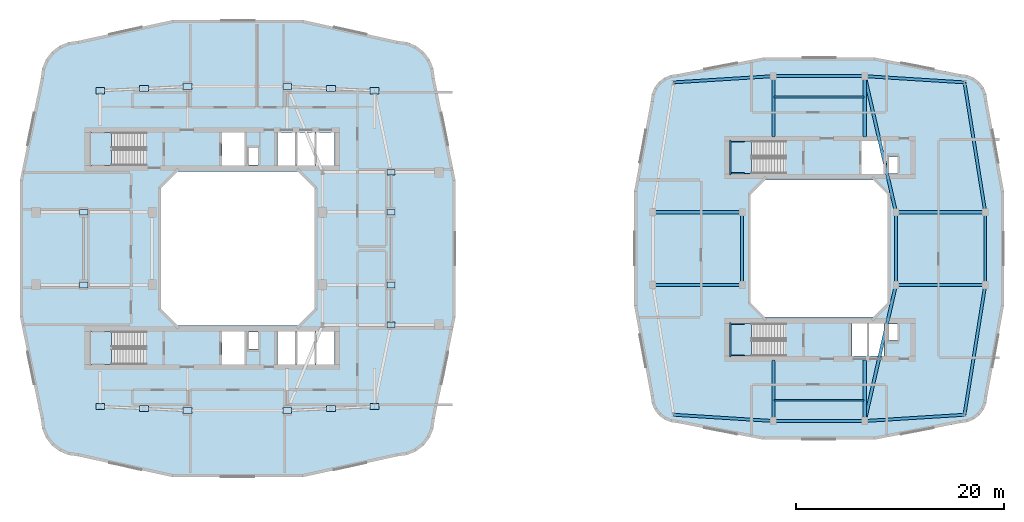
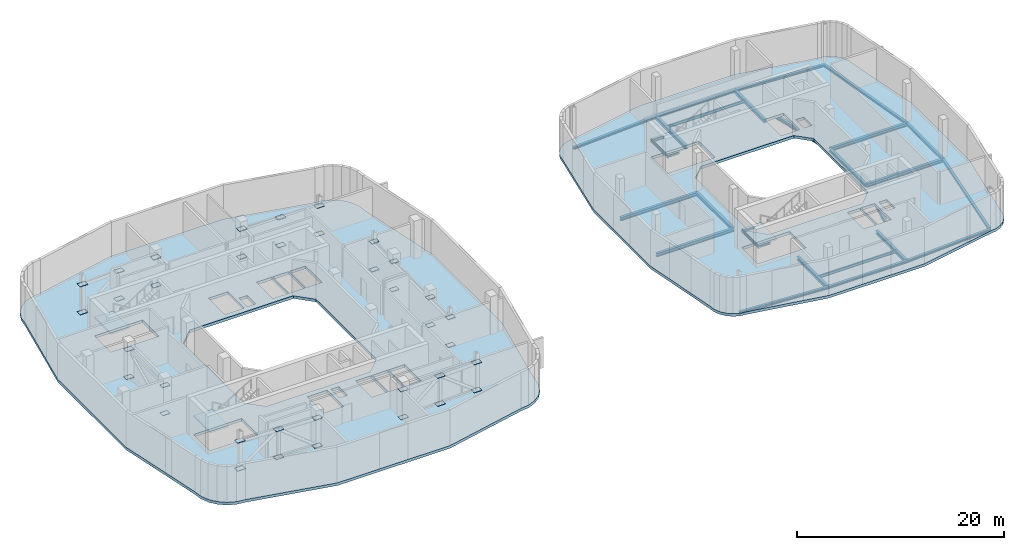
# One storey, part 6 of 18: 36 plates, 29 beams, 6 slabs, 4 elements without a shape of their own.
"""IFC4 building model written with IfcOpenShell, lengths in metres."""

from ifc_helpers import new_model, si_unit, derived_unit, direction, frame, origin, origin_2d, place, context, subcontext, project, spatial, polyline, rectangle, i_section, outline, extrude, material, layer, layer_set, material_profile, profile_set, type_object, element, aggregate, save


model = new_model("IFC4")

# Units and contexts
model_context = context("Model", 3, precision=1e-05, world=origin(), true_north=direction((0.0, 1.0)))
body_context = subcontext(model_context, "Body", "Model", "MODEL_VIEW")
ifc_project = project(units=[si_unit("LENGTHUNIT", "METRE"), si_unit("AREAUNIT", "SQUARE_METRE"), si_unit("VOLUMEUNIT", "CUBIC_METRE"), si_unit("PLANEANGLEUNIT", "RADIAN"), si_unit("MASSUNIT", "GRAM", prefix="KILO"), derived_unit("THERMALTRANSMITTANCEUNIT", [(si_unit("POWERUNIT", "WATT"), 1), (si_unit("LENGTHUNIT", "METRE"), -2), (si_unit("THERMODYNAMICTEMPERATUREUNIT", "KELVIN"), -1)])], contexts=[model_context])

# Site, building, storey
site_placement = place(None, origin())
site = spatial("IfcSite", under=ifc_project, at=site_placement, CompositionType="ELEMENT")
building_placement = place(site_placement, origin())
building = spatial("IfcBuilding", under=site, at=building_placement, Name="Kivonza Crest Hotel", CompositionType="ELEMENT")
storey_placement = place(building_placement, frame((0.0, 0.0, 90.5)))
storey = spatial("IfcBuildingStorey", under=building, at=storey_placement, Name="L24", CompositionType="ELEMENT", Elevation=90.5)

# Beams
ifc_material_1 = material(Name="Steel S355", Category="steel")
ifc_material_profile_1 = material_profile(ifc_material_1, i_section(OverallWidth=0.280029296875, OverallDepth=0.280029296875, WebThickness=0.010498046875, FlangeThickness=0.01806640625, FilletRadius=0.02392578125, at=origin_2d()), Name="HEB 280")
ifc_profile_set_1 = profile_set([ifc_material_profile_1], Name="Steel S355")
beam_type_1 = type_object("IfcBeamType", Name="BM-HEB280", PredefinedType="SPANDREL", material=ifc_profile_set_1)
beam_1_placement = place(storey_placement, frame((72.60009765625, 8.39990234375, -0.4599609375), z_axis=(1.0, 0.0, 0.0), x_axis=(0.0, 1.0, 0.0)))
element("IfcBeam", 1, at=beam_1_placement, inside=storey, type_object=beam_type_1, Name="Companion Tower T2 L24 perimeter spandrel S1-S2", PredefinedType="SPANDREL", context=body_context, shape_type="SweptSolid", body=[
    extrude(i_section(OverallWidth=0.280029296875, OverallDepth=0.280029296875, WebThickness=0.010498046875, FlangeThickness=0.01806640625, FilletRadius=0.02392578125, at=origin_2d()), origin(), (0.0, 0.0, 1.0), 8.7998046875),
])
beam_2_placement = place(storey_placement, frame((81.39990234375, 8.39990234375, -0.4599609375), z_axis=(0.998051985873, 0.062387767186, 0.0), x_axis=(-0.062387767186, 0.998051985873, 0.0)))
element("IfcBeam", 2, at=beam_2_placement, inside=storey, type_object=beam_type_1, Name="Companion Tower T2 L24 perimeter spandrel S2-SE", PredefinedType="SPANDREL", context=body_context, shape_type="SweptSolid", body=[
    extrude(i_section(OverallWidth=0.280029296875, OverallDepth=0.280029296875, WebThickness=0.010498046875, FlangeThickness=0.01806640625, FilletRadius=0.02392578125, at=origin_2d()), origin(), (0.0, 0.0, 1.0), 9.618896484375),
])
beam_3_placement = place(storey_placement, frame((91.0, 9.0, -0.4599609375), z_axis=(0.157990501107, 0.987440631917, 0.0), x_axis=(-0.987440631917, 0.157990501107, 0.0)))
element("IfcBeam", 3, at=beam_3_placement, inside=storey, type_object=beam_type_1, Name="Companion Tower T2 L24 perimeter spandrel SE-E1", PredefinedType="SPANDREL", context=body_context, shape_type="SweptSolid", body=[
    extrude(i_section(OverallWidth=0.280029296875, OverallDepth=0.280029296875, WebThickness=0.010498046875, FlangeThickness=0.01806640625, FilletRadius=0.02392578125, at=origin_2d()), origin(), (0.0, 0.0, 1.0), 12.658935546875),
])
beam_4_placement = place(storey_placement, frame((93.0, 21.5, -0.4599609375), z_axis=(0.0, 1.0, 0.0), x_axis=(-1.0, 0.0, 0.0)))
element("IfcBeam", 4, at=beam_4_placement, inside=storey, type_object=beam_type_1, Name="Companion Tower T2 L24 perimeter spandrel E1-E2", PredefinedType="SPANDREL", context=body_context, shape_type="SweptSolid", body=[
    extrude(i_section(OverallWidth=0.280029296875, OverallDepth=0.280029296875, WebThickness=0.010498046875, FlangeThickness=0.01806640625, FilletRadius=0.02392578125, at=origin_2d()), origin(), (0.0, 0.0, 1.0), 7.0),
])
beam_5_placement = place(storey_placement, frame((93.0, 28.5, -0.4599609375), z_axis=(-0.157990501107, 0.987440631917, 0.0), x_axis=(-0.987440631917, -0.157990501107, 0.0)))
element("IfcBeam", 5, at=beam_5_placement, inside=storey, type_object=beam_type_1, Name="Companion Tower T2 L24 perimeter spandrel E2-NE", PredefinedType="SPANDREL", context=body_context, shape_type="SweptSolid", body=[
    extrude(i_section(OverallWidth=0.280029296875, OverallDepth=0.280029296875, WebThickness=0.010498046875, FlangeThickness=0.01806640625, FilletRadius=0.02392578125, at=origin_2d()), origin(), (0.0, 0.0, 1.0), 12.658935546875),
])
beam_6_placement = place(storey_placement, frame((91.0, 41.0, -0.4599609375), z_axis=(-0.998051985873, 0.062387767186, 0.0), x_axis=(-0.062387767186, -0.998051985873, 0.0)))
element("IfcBeam", 6, at=beam_6_placement, inside=storey, type_object=beam_type_1, Name="Companion Tower T2 L24 perimeter spandrel NE-N2", PredefinedType="SPANDREL", context=body_context, shape_type="SweptSolid", body=[
    extrude(i_section(OverallWidth=0.280029296875, OverallDepth=0.280029296875, WebThickness=0.010498046875, FlangeThickness=0.01806640625, FilletRadius=0.02392578125, at=origin_2d()), origin(), (0.0, 0.0, 1.0), 9.618896484375),
])
beam_7_placement = place(storey_placement, frame((81.39990234375, 41.60009765625, -0.4599609375), z_axis=(-1.0, 0.0, 0.0), x_axis=(0.0, -1.0, 0.0)))
element("IfcBeam", 7, at=beam_7_placement, inside=storey, type_object=beam_type_1, Name="Companion Tower T2 L24 perimeter spandrel N2-N1", PredefinedType="SPANDREL", context=body_context, shape_type="SweptSolid", body=[
    extrude(i_section(OverallWidth=0.280029296875, OverallDepth=0.280029296875, WebThickness=0.010498046875, FlangeThickness=0.01806640625, FilletRadius=0.02392578125, at=origin_2d()), origin(), (0.0, 0.0, 1.0), 8.7998046875),
])
for number, where, z_axis, x_axis, name in (
    (8, (72.60009765625, 41.60009765625, -0.4599609375), (-0.998051985873, -0.062387767186, 0.0), (0.062387767186, -0.998051985873, 0.0), "Companion Tower T2 L24 perimeter spandrel N1-NW"),
    (9, (63.0, 9.0, -0.4599609375), (0.998051985873, -0.062387767186, 0.0), (0.062387767186, 0.998051985873, 0.0), "Companion Tower T2 L24 perimeter spandrel SW-S1"),
):
    element("IfcBeam", number, at=place(storey_placement, frame(where, z_axis=z_axis, x_axis=x_axis)), inside=storey, type_object=beam_type_1, Name=name, PredefinedType="SPANDREL", context=body_context, shape_type="SweptSolid", body=[
        extrude(i_section(OverallWidth=0.280029296875, OverallDepth=0.280029296875, WebThickness=0.010498046875, FlangeThickness=0.01806640625, FilletRadius=0.02392578125, at=origin_2d()), origin(), (0.0, 0.0, 1.0), 9.618896484375),
    ])
ifc_material_profile_2 = material_profile(ifc_material_1, i_section(OverallWidth=0.300048828125, OverallDepth=0.39990234375, WebThickness=0.013427734375, FlangeThickness=0.02392578125, FilletRadius=0.027099609375, at=origin_2d()), Name="HEB 400")
ifc_profile_set_2 = profile_set([ifc_material_profile_2], Name="Steel S355")
beam_type_2 = type_object("IfcBeamType", Name="BM-HEB400", PredefinedType="BEAM", material=ifc_profile_set_2)
for number, where, z_axis, x_axis, name in (
    (10, (61.0, 21.5, -0.52001953125), (1.0, 0.0, 0.0), (0.0, 1.0, 0.0), "Companion Tower T2 L24 girder W1-WL1"),
    (11, (61.0, 28.5, -0.52001953125), (1.0, 0.0, 0.0), (0.0, 1.0, 0.0), "Companion Tower T2 L24 girder W2-WL2"),
):
    element("IfcBeam", number, at=place(storey_placement, frame(where, z_axis=z_axis, x_axis=x_axis)), inside=storey, type_object=beam_type_2, Name=name, PredefinedType="BEAM", context=body_context, shape_type="SweptSolid", body=[
        extrude(i_section(OverallWidth=0.300048828125, OverallDepth=0.39990234375, WebThickness=0.013427734375, FlangeThickness=0.02392578125, FilletRadius=0.027099609375, at=origin_2d()), origin(), (0.0, 0.0, 1.0), 8.60009765625),
    ])
beam_8_placement = place(storey_placement, frame((69.60009765625, 21.5, -0.52001953125), z_axis=(0.0, 1.0, 0.0), x_axis=(-1.0, 0.0, 0.0)))
element("IfcBeam", 12, at=beam_8_placement, inside=storey, type_object=beam_type_2, Name="Companion Tower T2 L24 girder WL1-WL2", PredefinedType="BEAM", context=body_context, shape_type="SweptSolid", body=[
    extrude(i_section(OverallWidth=0.300048828125, OverallDepth=0.39990234375, WebThickness=0.013427734375, FlangeThickness=0.02392578125, FilletRadius=0.027099609375, at=origin_2d()), origin(), (0.0, 0.0, 1.0), 7.0),
])
for number, where, z_axis, x_axis, name in (
    (13, (84.39990234375, 21.5, -0.52001953125), (1.0, 0.0, 0.0), (0.0, 1.0, 0.0), "Companion Tower T2 L24 girder WR1-E1"),
    (14, (84.39990234375, 28.5, -0.52001953125), (1.0, 0.0, 0.0), (0.0, 1.0, 0.0), "Companion Tower T2 L24 girder WR2-E2"),
):
    element("IfcBeam", number, at=place(storey_placement, frame(where, z_axis=z_axis, x_axis=x_axis)), inside=storey, type_object=beam_type_2, Name=name, PredefinedType="BEAM", context=body_context, shape_type="SweptSolid", body=[
        extrude(i_section(OverallWidth=0.300048828125, OverallDepth=0.39990234375, WebThickness=0.013427734375, FlangeThickness=0.02392578125, FilletRadius=0.027099609375, at=origin_2d()), origin(), (0.0, 0.0, 1.0), 8.60009765625),
    ])
beam_9_placement = place(storey_placement, frame((84.39990234375, 21.5, -0.52001953125), z_axis=(0.0, 1.0, 0.0), x_axis=(-1.0, 0.0, 0.0)))
element("IfcBeam", 15, at=beam_9_placement, inside=storey, type_object=beam_type_2, Name="Companion Tower T2 L24 girder WR1-WR2", PredefinedType="BEAM", context=body_context, shape_type="SweptSolid", body=[
    extrude(i_section(OverallWidth=0.300048828125, OverallDepth=0.39990234375, WebThickness=0.013427734375, FlangeThickness=0.02392578125, FilletRadius=0.027099609375, at=origin_2d()), origin(), (0.0, 0.0, 1.0), 7.0),
])
for number, where, z_axis, x_axis, name in (
    (16, (84.39990234375, 21.5, -0.52001953125), (-0.223227287589, -0.974766422317, 0.0), (0.974766422317, -0.223227287589, 0.0), "Companion Tower T2 L24 girder WR1-S2"),
    (17, (84.39990234375, 28.5, -0.52001953125), (-0.223227287589, 0.974766422317, 0.0), (-0.974766422317, -0.223227287589, 0.0), "Companion Tower T2 L24 girder WR2-N2"),
):
    element("IfcBeam", number, at=place(storey_placement, frame(where, z_axis=z_axis, x_axis=x_axis)), inside=storey, type_object=beam_type_2, Name=name, PredefinedType="BEAM", context=body_context, shape_type="SweptSolid", body=[
        extrude(i_section(OverallWidth=0.300048828125, OverallDepth=0.39990234375, WebThickness=0.013427734375, FlangeThickness=0.02392578125, FilletRadius=0.027099609375, at=origin_2d()), origin(), (0.0, 0.0, 1.0), 13.439208984375),
    ])
for number, where, z_axis, x_axis, name in (
    (18, (72.60009765625, 8.39990234375, -0.52001953125), (0.0, 1.0, 0.0), (-1.0, 0.0, 0.0), "Companion T2 L24 radial core girder RS1"),
    (19, (81.39990234375, 8.39990234375, -0.52001953125), (0.0, 1.0, 0.0), (-1.0, 0.0, 0.0), "Companion T2 L24 radial core girder RS2"),
    (20, (72.60009765625, 41.60009765625, -0.52001953125), (0.0, -1.0, 0.0), (1.0, 0.0, 0.0), "Companion T2 L24 radial core girder RN1"),
    (21, (81.39990234375, 41.60009765625, -0.52001953125), (0.0, -1.0, 0.0), (1.0, 0.0, 0.0), "Companion T2 L24 radial core girder RN2"),
):
    element("IfcBeam", number, at=place(storey_placement, frame(where, z_axis=z_axis, x_axis=x_axis)), inside=storey, type_object=beam_type_2, Name=name, PredefinedType="BEAM", context=body_context, shape_type="SweptSolid", body=[
        extrude(i_section(OverallWidth=0.300048828125, OverallDepth=0.39990234375, WebThickness=0.013427734375, FlangeThickness=0.02392578125, FilletRadius=0.027099609375, at=origin_2d()), origin(), (0.0, 0.0, 1.0), 5.85009765625),
    ])
ifc_material_profile_3 = material_profile(ifc_material_1, i_section(OverallWidth=0.159912109375, OverallDepth=0.330078125, WebThickness=0.007568359375, FlangeThickness=0.011474609375, FilletRadius=0.01806640625, at=origin_2d()), Name="IPE 330")
ifc_profile_set_3 = profile_set([ifc_material_profile_3], Name="Steel S355")
beam_type_3 = type_object("IfcBeamType", Name="BM-IPE330", PredefinedType="JOIST", material=ifc_profile_set_3)
for number, where, z_axis, x_axis, name in (
    (22, (72.679931640625, 10.39990234375, -0.485107421875), (1.0, 0.0, 0.0), (0.0, 1.0, 0.0), "Companion Tower T2 L24 South floor joist"),
    (23, (72.679931640625, 39.60009765625, -0.485107421875), (1.0, 0.0, 0.0), (0.0, 1.0, 0.0), "Companion Tower T2 L24 North floor joist"),
):
    element("IfcBeam", number, at=place(storey_placement, frame(where, z_axis=z_axis, x_axis=x_axis)), inside=storey, type_object=beam_type_3, Name=name, PredefinedType="JOIST", context=body_context, shape_type="SweptSolid", body=[
        extrude(i_section(OverallWidth=0.159912109375, OverallDepth=0.330078125, WebThickness=0.007568359375, FlangeThickness=0.011474609375, FilletRadius=0.01806640625, at=origin_2d()), origin(), (0.0, 0.0, 1.0), 8.64013671875),
    ])
ifc_material_profile_4 = material_profile(ifc_material_1, i_section(OverallWidth=0.1201171875, OverallDepth=0.239990234375, WebThickness=0.006103515625, FlangeThickness=0.009765625, FilletRadius=0.014892578125, at=origin_2d()), Name="IPE 240")
ifc_profile_set_4 = profile_set([ifc_material_profile_4], Name="Steel S355")
beam_type_4 = type_object("IfcBeamType", Name="BM-LLDG-240", PredefinedType="BEAM", material=ifc_profile_set_4)
beam_10_placement = place(storey_placement, frame((68.4599609375, 32.10009765625, 1.929931640625), z_axis=(0.0, 1.0, 0.0), x_axis=(-1.0, 0.0, 0.0)))
element("IfcBeam", 24, at=beam_10_placement, inside=storey, type_object=beam_type_4, Name="Stair ST-T2-N L24 West landing corbel", PredefinedType="BEAM", context=body_context, shape_type="SweptSolid", body=[
    extrude(i_section(OverallWidth=0.1201171875, OverallDepth=0.239990234375, WebThickness=0.006103515625, FlangeThickness=0.009765625, FilletRadius=0.014892578125, at=origin_2d()), origin(), (0.0, 0.0, 1.0), 3.35986328125),
])
for number, where, z_axis, x_axis, name in (
    (25, (68.590087890625, 32.260009765625, 1.929931640625), (1.0, 0.0, 0.0), (0.0, 1.0, 0.0), "Stair ST-T2-N L24 South landing corbel"),
    (26, (68.590087890625, 35.300048828125, 1.929931640625), (1.0, 0.0, 0.0), (0.0, 1.0, 0.0), "Stair ST-T2-N L24 North landing corbel"),
):
    element("IfcBeam", number, at=place(storey_placement, frame(where, z_axis=z_axis, x_axis=x_axis)), inside=storey, type_object=beam_type_4, Name=name, PredefinedType="BEAM", context=body_context, shape_type="SweptSolid", body=[
        extrude(i_section(OverallWidth=0.1201171875, OverallDepth=0.239990234375, WebThickness=0.006103515625, FlangeThickness=0.009765625, FilletRadius=0.014892578125, at=origin_2d()), origin(), (0.0, 0.0, 1.0), 1.2099609375),
    ])
beam_11_placement = place(storey_placement, frame((68.4599609375, 14.5400390625, 1.929931640625), z_axis=(0.0, 1.0, 0.0), x_axis=(-1.0, 0.0, 0.0)))
element("IfcBeam", 27, at=beam_11_placement, inside=storey, type_object=beam_type_4, Name="Stair ST-T2-S L24 West landing corbel", PredefinedType="BEAM", context=body_context, shape_type="SweptSolid", body=[
    extrude(i_section(OverallWidth=0.1201171875, OverallDepth=0.239990234375, WebThickness=0.006103515625, FlangeThickness=0.009765625, FilletRadius=0.014892578125, at=origin_2d()), origin(), (0.0, 0.0, 1.0), 3.35986328125),
])
for number, where, z_axis, x_axis, name in (
    (28, (68.590087890625, 14.699951171875, 1.929931640625), (1.0, 0.0, 0.0), (0.0, 1.0, 0.0), "Stair ST-T2-S L24 South landing corbel"),
    (29, (68.590087890625, 17.739990234375, 1.929931640625), (1.0, 0.0, 0.0), (0.0, 1.0, 0.0), "Stair ST-T2-S L24 North landing corbel"),
):
    element("IfcBeam", number, at=place(storey_placement, frame(where, z_axis=z_axis, x_axis=x_axis)), inside=storey, type_object=beam_type_4, Name=name, PredefinedType="BEAM", context=body_context, shape_type="SweptSolid", body=[
        extrude(i_section(OverallWidth=0.1201171875, OverallDepth=0.239990234375, WebThickness=0.006103515625, FlangeThickness=0.009765625, FilletRadius=0.014892578125, at=origin_2d()), origin(), (0.0, 0.0, 1.0), 1.2099609375),
    ])

# Plates
ifc_layer_1 = layer(ifc_material_1, 0.031982421875)
ifc_layer_set_1 = layer_set([ifc_layer_1], Name="Steel S355")
plate_type_1 = type_object("IfcPlateType", Name="PL-NODE-BT1", PredefinedType="SHEET", material=ifc_layer_set_1)
for number, where, z_axis, x_axis, name in (
    (30, (6.199951171875, 21.5, -0.01611328125), (0.0, 0.0, 1.0), (1.0, 0.0, 0.0), "ND-BT1 node gusset and end-cap plate L24 65"),
    (31, (6.199951171875, 28.5, -0.01611328125), (0.0, 0.0, 1.0), (1.0, 0.0, 0.0), "ND-BT1 node gusset and end-cap plate L24 66"),
    (32, (6.199951171875, 21.5, 3.2841796875), (0.0, 0.0, 1.0), (1.0, 0.0, 0.0), "ND-BT1 node gusset and end-cap plate L24 67"),
    (33, (6.199951171875, 28.5, 3.2841796875), (0.0, 0.0, 1.0), (1.0, 0.0, 0.0), "ND-BT1 node gusset and end-cap plate L24 68"),
    (34, (35.800048828125, 17.64990234375, -0.01611328125), (0.0, 0.0, 1.0), (1.0, 0.0, 0.0), "ND-BT1 node gusset and end-cap plate L24 69"),
    (35, (35.800048828125, 21.5, -0.01611328125), (0.0, 0.0, 1.0), (1.0, 0.0, 0.0), "ND-BT1 node gusset and end-cap plate L24 70"),
    (36, (35.800048828125, 17.64990234375, 3.2841796875), (0.0, 0.0, 1.0), (1.0, 0.0, 0.0), "ND-BT1 node gusset and end-cap plate L24 71"),
    (37, (35.800048828125, 21.5, 3.2841796875), (0.0, 0.0, 1.0), (1.0, 0.0, 0.0), "ND-BT1 node gusset and end-cap plate L24 72"),
    (38, (35.800048828125, 28.5, -0.01611328125), (0.0, 0.0, 1.0), (1.0, 0.0, 0.0), "ND-BT1 node gusset and end-cap plate L24 73"),
    (39, (35.800048828125, 28.5, 3.2841796875), (0.0, 0.0, 1.0), (1.0, 0.0, 0.0), "ND-BT1 node gusset and end-cap plate L24 74"),
    (40, (35.800048828125, 32.35009765625, -0.01611328125), (0.0, 0.0, 1.0), (1.0, 0.0, 0.0), "ND-BT1 node gusset and end-cap plate L24 75"),
    (41, (35.800048828125, 32.35009765625, 3.2841796875), (0.0, 0.0, 1.0), (1.0, 0.0, 0.0), "ND-BT1 node gusset and end-cap plate L24 76"),
):
    element("IfcPlate", number, at=place(storey_placement, frame(where, z_axis=z_axis, x_axis=x_axis)), inside=storey, type_object=plate_type_1, Name=name, PredefinedType="SHEET", context=body_context, shape_type="SweptSolid", body=[
        extrude(rectangle(XDim=0.800048828125, YDim=0.56005859375, at=origin_2d()), origin(), (0.0, 0.0, 1.0), 0.031982421875),
    ])
ifc_layer_2 = layer(ifc_material_1, 0.035888671875)
ifc_layer_set_2 = layer_set([ifc_layer_2], Name="Steel S355")
plate_type_2 = type_object("IfcPlateType", Name="PL-NODE-OT1", PredefinedType="SHEET", material=ifc_layer_set_2)
for number, where, z_axis, x_axis, name in (
    (42, (12.0, 40.39990234375, -0.01806640625), (0.0, 0.0, 1.0), (1.0, 0.0, 0.0), "ND-OT1 node gusset and end-cap plate L24 41"),
    (43, (12.0, 40.39990234375, 3.2822265625), (0.0, 0.0, 1.0), (1.0, 0.0, 0.0), "ND-OT1 node gusset and end-cap plate L24 42"),
    (44, (16.199951171875, 40.60009765625, -0.01806640625), (0.0, 0.0, 1.0), (1.0, 0.0, 0.0), "ND-OT1 node gusset and end-cap plate L24 43"),
    (45, (16.199951171875, 40.60009765625, 3.2822265625), (0.0, 0.0, 1.0), (1.0, 0.0, 0.0), "ND-OT1 node gusset and end-cap plate L24 44"),
    (46, (7.800048828125, 40.199951171875, -0.01806640625), (0.0, 0.0, 1.0), (1.0, 0.0, 0.0), "ND-OT1 node gusset and end-cap plate L24 45"),
    (47, (7.800048828125, 40.199951171875, 3.2822265625), (0.0, 0.0, 1.0), (1.0, 0.0, 0.0), "ND-OT1 node gusset and end-cap plate L24 46"),
    (48, (30.0, 40.39990234375, -0.01806640625), (0.0, 0.0, 1.0), (1.0, 0.0, 0.0), "ND-OT1 node gusset and end-cap plate L24 47"),
    (49, (30.0, 40.39990234375, 3.2822265625), (0.0, 0.0, 1.0), (1.0, 0.0, 0.0), "ND-OT1 node gusset and end-cap plate L24 48"),
    (50, (25.800048828125, 40.60009765625, -0.01806640625), (0.0, 0.0, 1.0), (1.0, 0.0, 0.0), "ND-OT1 node gusset and end-cap plate L24 49"),
    (51, (25.800048828125, 40.60009765625, 3.2822265625), (0.0, 0.0, 1.0), (1.0, 0.0, 0.0), "ND-OT1 node gusset and end-cap plate L24 50"),
    (52, (34.199951171875, 40.199951171875, -0.01806640625), (0.0, 0.0, 1.0), (1.0, 0.0, 0.0), "ND-OT1 node gusset and end-cap plate L24 51"),
    (53, (34.199951171875, 40.199951171875, 3.2822265625), (0.0, 0.0, 1.0), (1.0, 0.0, 0.0), "ND-OT1 node gusset and end-cap plate L24 52"),
    (54, (12.0, 9.60009765625, -0.01806640625), (0.0, 0.0, 1.0), (1.0, 0.0, 0.0), "ND-OT1 node gusset and end-cap plate L24 53"),
    (55, (12.0, 9.60009765625, 3.2822265625), (0.0, 0.0, 1.0), (1.0, 0.0, 0.0), "ND-OT1 node gusset and end-cap plate L24 54"),
    (56, (16.199951171875, 9.39990234375, -0.01806640625), (0.0, 0.0, 1.0), (1.0, 0.0, 0.0), "ND-OT1 node gusset and end-cap plate L24 55"),
    (57, (16.199951171875, 9.39990234375, 3.2822265625), (0.0, 0.0, 1.0), (1.0, 0.0, 0.0), "ND-OT1 node gusset and end-cap plate L24 56"),
    (58, (7.800048828125, 9.800048828125, -0.01806640625), (0.0, 0.0, 1.0), (1.0, 0.0, 0.0), "ND-OT1 node gusset and end-cap plate L24 57"),
    (59, (7.800048828125, 9.800048828125, 3.2822265625), (0.0, 0.0, 1.0), (1.0, 0.0, 0.0), "ND-OT1 node gusset and end-cap plate L24 58"),
    (60, (30.0, 9.60009765625, -0.01806640625), (0.0, 0.0, 1.0), (1.0, 0.0, 0.0), "ND-OT1 node gusset and end-cap plate L24 59"),
    (61, (30.0, 9.60009765625, 3.2822265625), (0.0, 0.0, 1.0), (1.0, 0.0, 0.0), "ND-OT1 node gusset and end-cap plate L24 60"),
    (62, (25.800048828125, 9.39990234375, -0.01806640625), (0.0, 0.0, 1.0), (1.0, 0.0, 0.0), "ND-OT1 node gusset and end-cap plate L24 61"),
    (63, (25.800048828125, 9.39990234375, 3.2822265625), (0.0, 0.0, 1.0), (1.0, 0.0, 0.0), "ND-OT1 node gusset and end-cap plate L24 62"),
    (64, (34.199951171875, 9.800048828125, -0.01806640625), (0.0, 0.0, 1.0), (1.0, 0.0, 0.0), "ND-OT1 node gusset and end-cap plate L24 63"),
    (65, (34.199951171875, 9.800048828125, 3.2822265625), (0.0, 0.0, 1.0), (1.0, 0.0, 0.0), "ND-OT1 node gusset and end-cap plate L24 64"),
):
    element("IfcPlate", number, at=place(storey_placement, frame(where, z_axis=z_axis, x_axis=x_axis)), inside=storey, type_object=plate_type_2, Name=name, PredefinedType="SHEET", context=body_context, shape_type="SweptSolid", body=[
        extrude(rectangle(XDim=0.860107421875, YDim=0.60009765625, at=origin_2d()), origin(), (0.0, 0.0, 1.0), 0.035888671875),
    ])

# Stair, slab
ifc_material_2 = material(Name="Concrete C40/50", Category="concrete")
stair_type = type_object("IfcStairType", Name="ST-DL-26R", PredefinedType="HALF_TURN_STAIR", material=ifc_material_2)
stair_1_placement = place(storey_placement, origin())
stair_1 = element("IfcStair", 66, at=stair_1_placement, inside=storey, type_object=stair_type, Name="L24 Protected Exit Stair ST-T1-N", PredefinedType="HALF_TURN_STAIR")
ifc_layer_3 = layer(ifc_material_2, 0.199951171875)
ifc_layer_set_3 = layer_set([ifc_layer_3], Name="Concrete C40/50")
slab_type_1 = type_object("IfcSlabType", Name="SL-LAND-200", PredefinedType="LANDING", material=ifc_layer_set_3)
slab_1_placement = place(storey_placement, frame((0.0, 0.0, 2.050048828125)))
slab_1 = element("IfcSlab", 67, at=slab_1_placement, type_object=slab_type_1, Name="ST-T1-N landing 1", PredefinedType="LANDING", context=body_context, shape_type="SweptSolid", body=[
    extrude(outline(polyline([(8.8798828125, 36.159912109375), (6.800048828125, 36.159912109375), (6.800048828125, 33.02001953125), (8.8798828125, 33.02001953125), (8.8798828125, 36.159912109375)])), origin(), (0.0, 0.0, 1.0), 0.199951171875),
])
aggregate(stair_1, [slab_1])

stair_2_placement = place(storey_placement, origin())
stair_2 = element("IfcStair", 68, at=stair_2_placement, inside=storey, type_object=stair_type, Name="L24 Protected Exit Stair ST-T1-S", PredefinedType="HALF_TURN_STAIR")
slab_2_placement = place(storey_placement, frame((0.0, 0.0, 2.050048828125)))
slab_2 = element("IfcSlab", 69, at=slab_2_placement, type_object=slab_type_1, Name="ST-T1-S landing 1", PredefinedType="LANDING", context=body_context, shape_type="SweptSolid", body=[
    extrude(outline(polyline([(8.8798828125, 17.0), (6.800048828125, 17.0), (6.800048828125, 13.860107421875), (8.8798828125, 13.860107421875), (8.8798828125, 17.0)])), origin(), (0.0, 0.0, 1.0), 0.199951171875),
])
aggregate(stair_2, [slab_2])

stair_3_placement = place(storey_placement, origin())
stair_3 = element("IfcStair", 70, at=stair_3_placement, inside=storey, type_object=stair_type, Name="L24 Protected Exit Stair ST-T2-N", PredefinedType="HALF_TURN_STAIR")
slab_3_placement = place(storey_placement, frame((0.0, 0.0, 2.050048828125)))
slab_3 = element("IfcSlab", 71, at=slab_3_placement, type_object=slab_type_1, Name="ST-T2-N landing 1", PredefinedType="LANDING", context=body_context, shape_type="SweptSolid", body=[
    extrude(outline(polyline([(70.47998046875, 35.360107421875), (68.39990234375, 35.360107421875), (68.39990234375, 32.219970703125), (70.47998046875, 32.219970703125), (70.47998046875, 35.360107421875)])), origin(), (0.0, 0.0, 1.0), 0.199951171875),
])
aggregate(stair_3, [slab_3])

stair_4_placement = place(storey_placement, origin())
stair_4 = element("IfcStair", 72, at=stair_4_placement, inside=storey, type_object=stair_type, Name="L24 Protected Exit Stair ST-T2-S", PredefinedType="HALF_TURN_STAIR")
slab_4_placement = place(storey_placement, frame((0.0, 0.0, 2.050048828125)))
slab_4 = element("IfcSlab", 73, at=slab_4_placement, type_object=slab_type_1, Name="ST-T2-S landing 1", PredefinedType="LANDING", context=body_context, shape_type="SweptSolid", body=[
    extrude(outline(polyline([(70.47998046875, 17.800048828125), (68.39990234375, 17.800048828125), (68.39990234375, 14.659912109375), (70.47998046875, 14.659912109375), (70.47998046875, 17.800048828125)])), origin(), (0.0, 0.0, 1.0), 0.199951171875),
])
aggregate(stair_4, [slab_4])

# Slabs
ifc_layer_4 = layer(ifc_material_2, 0.320068359375)
ifc_layer_set_4 = layer_set([ifc_layer_4], Name="Concrete C40/50")
slab_type_2 = type_object("IfcSlabType", Name="SL-REF-320", PredefinedType="FLOOR", material=ifc_layer_set_4)
slab_5_placement = place(storey_placement, frame((0.0, 0.0, -0.320068359375)))
element("IfcSlab", 74, at=slab_5_placement, inside=storey, type_object=slab_type_2, Name="Tower T1 L24 floor slab", PredefinedType="FLOOR", context=body_context, shape_type="SweptSolid", body=[
    extrude(outline(polyline([(2.080078125, 8.60009765625), (2.202880859375, 7.66796875), (2.56201171875, 6.800048828125), (3.134033203125, 6.053955078125), (3.8798828125, 5.48193359375), (4.748046875, 5.123046875), (5.679931640625, 5.0), (14.751953125, 3.0), (27.327880859375, 3.0), (36.39990234375, 5.0), (37.33203125, 5.123046875), (38.199951171875, 5.48193359375), (38.946044921875, 6.053955078125), (39.51806640625, 6.800048828125), (39.876953125, 7.66796875), (40.0, 8.60009765625), (42.0, 18.39990234375), (42.0, 31.60009765625), (40.0, 41.39990234375), (39.876953125, 42.33203125), (39.51806640625, 43.199951171875), (38.946044921875, 43.946044921875), (38.199951171875, 44.51806640625), (37.33203125, 44.876953125), (36.39990234375, 45.0), (27.327880859375, 47.0), (14.751953125, 47.0), (5.679931640625, 45.0), (4.748046875, 44.876953125), (3.8798828125, 44.51806640625), (3.134033203125, 43.946044921875), (2.56201171875, 43.199951171875), (2.202880859375, 42.33203125), (2.080078125, 41.39990234375), (0.080078125, 31.60009765625), (0.080078125, 18.39990234375), (2.080078125, 8.60009765625)]), holes=[polyline([(15.239990234375, 17.60009765625), (26.840087890625, 17.60009765625), (28.43994140625, 19.199951171875), (28.43994140625, 30.800048828125), (26.840087890625, 32.39990234375), (15.239990234375, 32.39990234375), (13.639892578125, 30.800048828125), (13.639892578125, 19.199951171875), (15.239990234375, 17.60009765625)]), polyline([(6.800048828125, 33.02001953125), (12.159912109375, 33.02001953125), (12.159912109375, 36.159912109375), (6.800048828125, 36.159912109375), (6.800048828125, 33.02001953125)]), polyline([(6.800048828125, 13.860107421875), (12.159912109375, 13.860107421875), (12.159912109375, 17.0), (6.800048828125, 17.0), (6.800048828125, 13.860107421875)]), polyline([(22.080078125, 33.0400390625), (22.969970703125, 33.0400390625), (22.969970703125, 34.679931640625), (22.080078125, 34.679931640625), (22.080078125, 33.0400390625)]), polyline([(22.080078125, 15.320068359375), (22.969970703125, 15.320068359375), (22.969970703125, 16.9599609375), (22.080078125, 16.9599609375), (22.080078125, 15.320068359375)]), polyline([(19.5, 33.0), (21.699951171875, 33.0), (21.699951171875, 36.159912109375), (19.5, 36.159912109375), (19.5, 33.0)]), polyline([(24.860107421875, 33.0), (26.60693359375, 33.0), (26.60693359375, 36.159912109375), (24.860107421875, 36.159912109375), (24.860107421875, 33.0)]), polyline([(26.72705078125, 33.0), (28.472900390625, 33.0), (28.472900390625, 36.159912109375), (26.72705078125, 36.159912109375), (26.72705078125, 33.0)]), polyline([(28.593017578125, 33.0), (30.340087890625, 33.0), (30.340087890625, 36.159912109375), (28.593017578125, 36.159912109375), (28.593017578125, 33.0)]), polyline([(19.5, 13.840087890625), (21.699951171875, 13.840087890625), (21.699951171875, 17.0), (19.5, 17.0), (19.5, 13.840087890625)]), polyline([(24.860107421875, 13.840087890625), (26.60693359375, 13.840087890625), (26.60693359375, 17.0), (24.860107421875, 17.0), (24.860107421875, 13.840087890625)]), polyline([(26.72705078125, 13.840087890625), (28.472900390625, 13.840087890625), (28.472900390625, 17.0), (26.72705078125, 17.0), (26.72705078125, 13.840087890625)]), polyline([(28.593017578125, 13.840087890625), (30.340087890625, 13.840087890625), (30.340087890625, 17.0), (28.593017578125, 17.0), (28.593017578125, 13.840087890625)])]), origin(), (0.0, 0.0, 1.0), 0.320068359375),
])
slab_6_placement = place(storey_placement, frame((0.0, 0.0, -0.320068359375)))
element("IfcSlab", 75, at=slab_6_placement, inside=storey, type_object=slab_type_2, Name="Companion Tower T2 L24 floor slab", PredefinedType="FLOOR", context=body_context, shape_type="SweptSolid", body=[
    extrude(outline(polyline([(60.800048828125, 10.800048828125), (60.888916015625, 10.126953125), (61.14794921875, 9.5), (61.56201171875, 8.9619140625), (62.10009765625, 8.548095703125), (62.72705078125, 8.2890625), (63.39990234375, 8.199951171875), (71.659912109375, 6.60009765625), (82.340087890625, 6.60009765625), (90.60009765625, 8.199951171875), (91.27294921875, 8.2890625), (91.89990234375, 8.548095703125), (92.43798828125, 8.9619140625), (92.85205078125, 9.5), (93.111083984375, 10.126953125), (93.199951171875, 10.800048828125), (94.800048828125, 19.47998046875), (94.800048828125, 30.52001953125), (93.199951171875, 39.199951171875), (93.111083984375, 39.873046875), (92.85205078125, 40.5), (92.43798828125, 41.0380859375), (91.89990234375, 41.451904296875), (91.27294921875, 41.7109375), (90.60009765625, 41.800048828125), (82.340087890625, 43.39990234375), (71.659912109375, 43.39990234375), (63.39990234375, 41.800048828125), (62.72705078125, 41.7109375), (62.10009765625, 41.451904296875), (61.56201171875, 41.0380859375), (61.14794921875, 40.5), (60.888916015625, 39.873046875), (60.800048828125, 39.199951171875), (59.199951171875, 30.52001953125), (59.199951171875, 19.47998046875), (60.800048828125, 10.800048828125)]), holes=[polyline([(71.800048828125, 18.39990234375), (82.199951171875, 18.39990234375), (83.60009765625, 19.800048828125), (83.60009765625, 30.199951171875), (82.199951171875, 31.60009765625), (71.800048828125, 31.60009765625), (70.39990234375, 30.199951171875), (70.39990234375, 19.800048828125), (71.800048828125, 18.39990234375)]), polyline([(68.39990234375, 32.219970703125), (73.760009765625, 32.219970703125), (73.760009765625, 35.360107421875), (68.39990234375, 35.360107421875), (68.39990234375, 32.219970703125)]), polyline([(68.39990234375, 14.659912109375), (73.760009765625, 14.659912109375), (73.760009765625, 17.800048828125), (68.39990234375, 17.800048828125), (68.39990234375, 14.659912109375)]), polyline([(83.679931640625, 32.239990234375), (84.570068359375, 32.239990234375), (84.570068359375, 33.820068359375), (83.679931640625, 33.820068359375), (83.679931640625, 32.239990234375)]), polyline([(83.679931640625, 16.179931640625), (84.570068359375, 16.179931640625), (84.570068359375, 17.760009765625), (83.679931640625, 17.760009765625), (83.679931640625, 16.179931640625)]), polyline([(81.10009765625, 32.199951171875), (83.199951171875, 32.199951171875), (83.199951171875, 35.360107421875), (81.10009765625, 35.360107421875), (81.10009765625, 32.199951171875)]), polyline([(80.159912109375, 14.639892578125), (81.639892578125, 14.639892578125), (81.639892578125, 17.800048828125), (80.159912109375, 17.800048828125), (80.159912109375, 14.639892578125)]), polyline([(81.760009765625, 14.639892578125), (83.239990234375, 14.639892578125), (83.239990234375, 17.800048828125), (81.760009765625, 17.800048828125), (81.760009765625, 14.639892578125)])]), origin(), (0.0, 0.0, 1.0), 0.320068359375),
])

save(model, "model.ifc")
